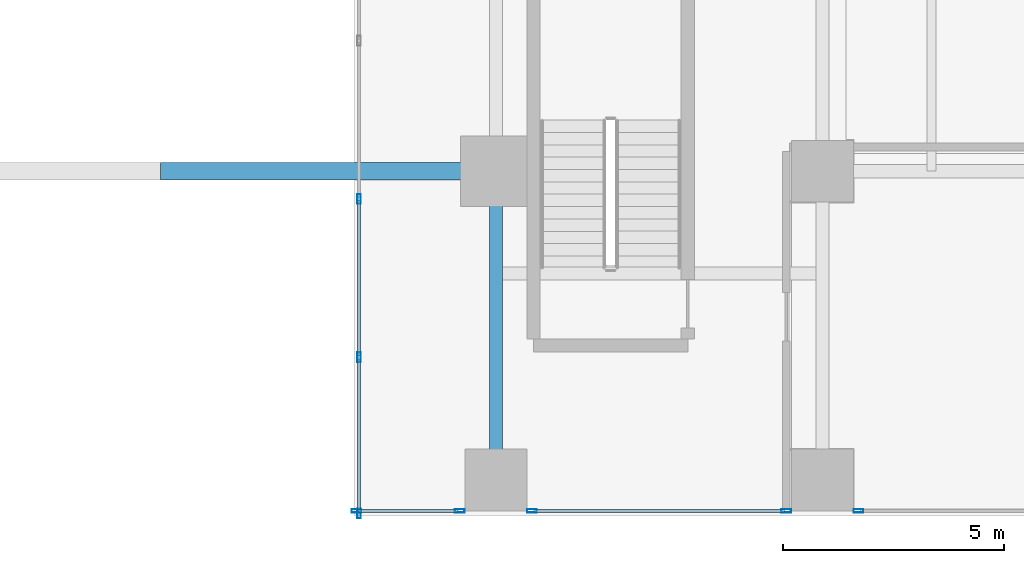
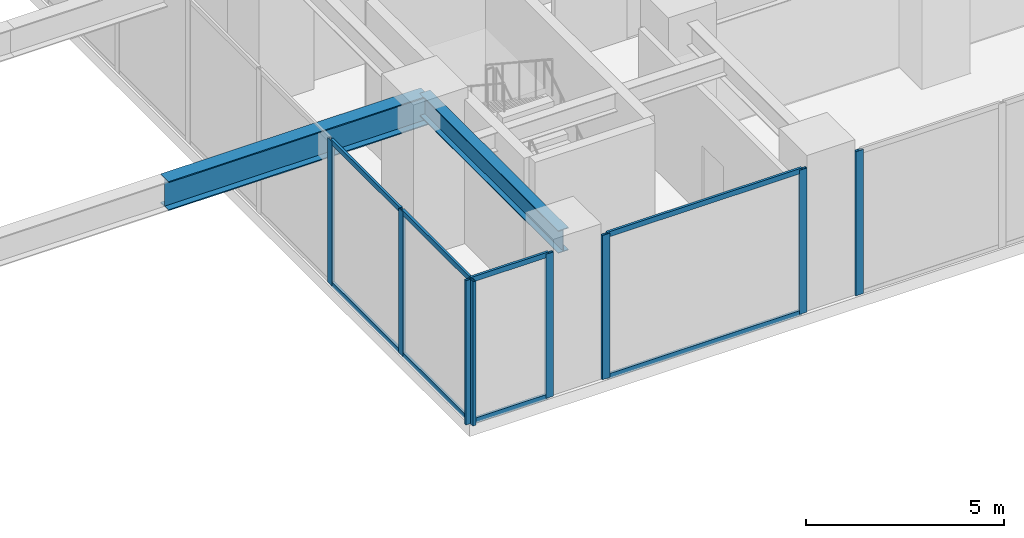
# One storey, part 10 of 39: 16 members, 2 beams, 4 elements without a shape of their own.
"""IFC4 building model written with IfcOpenShell, lengths in metres."""

from ifc_helpers import new_model, si_unit, direction, frame, origin, origin_2d, place, context, subcontext, project, spatial, hollow_rectangle, i_section, extrude, source, transform, mapped, material, layer, layer_set, material_profile, profile_set, type_object, type_shapes, element, aggregate, save


model = new_model("IFC4")

# Units and contexts
model_context = context("Model", 3, precision=1e-05, world=origin(), true_north=direction((0.0, 1.0)))
body_context = subcontext(model_context, "Body", "Model", "MODEL_VIEW")
ifc_project = project(units=[si_unit("LENGTHUNIT", "METRE"), si_unit("AREAUNIT", "SQUARE_METRE"), si_unit("VOLUMEUNIT", "CUBIC_METRE"), si_unit("PLANEANGLEUNIT", "RADIAN"), si_unit("MASSUNIT", "GRAM", prefix="KILO")], contexts=[model_context])

# Site, building, storey
site_placement = place(None, origin())
site = spatial("IfcSite", under=ifc_project, at=site_placement, CompositionType="ELEMENT")
building_placement = place(site_placement, origin())
building = spatial("IfcBuilding", under=site, at=building_placement, Name="Haelvirn Gate Laboratories", CompositionType="ELEMENT")
storey_placement = place(building_placement, frame((0.0, 0.0, 15.0)))
storey = spatial("IfcBuildingStorey", under=building, at=storey_placement, Name="L04", CompositionType="ELEMENT", Elevation=15.0)

# Beams
ifc_material_1 = material(Name="Steel SM355", Category="steel")
ifc_material_profile_1 = material_profile(ifc_material_1, i_section(OverallWidth=0.300048828125, OverallDepth=0.699951171875, WebThickness=0.012939453125, FlangeThickness=0.02392578125, at=origin_2d()), Name="H-700x300x13x24")
ifc_profile_set_1 = profile_set([ifc_material_profile_1], Name="Steel SM355")
beam_type_1 = type_object("IfcBeamType", Name="BM-G-700", PredefinedType="BEAM", material=ifc_profile_set_1)
shared_shape_1 = source(origin(), body_context, "Body", "SweptSolid", [
    extrude(i_section(OverallWidth=0.300048828125, OverallDepth=0.699951171875, WebThickness=0.012939453125, FlangeThickness=0.02392578125, at=origin_2d()), origin(), (0.0, 0.0, 1.0), 7.0),
])
type_shapes(beam_type_1, [shared_shape_1])
beam_1_placement = place(storey_placement, frame((52.60009765625, 0.0, 4.10009765625), z_axis=(0.0, 1.0, 0.0), x_axis=(-1.0, 0.0, 0.0)))
element("IfcBeam", 1, at=beam_1_placement, inside=storey, type_object=beam_type_1, Name="L04 Stair ST4 West Trimmer Girder", PredefinedType="BEAM", context=body_context, shape_type="MappedRepresentation", body=[
    mapped(shared_shape_1, transform((0.0, 0.0, 0.0), scale=1.0)),
])
ifc_material_2 = material(Name="Steel SM420", Category="steel")
ifc_material_profile_2 = material_profile(ifc_material_2, i_section(OverallWidth=0.39990234375, OverallDepth=0.89990234375, WebThickness=0.01904296875, FlangeThickness=0.031982421875, at=origin_2d()), Name="H-900x400x19x32")
ifc_profile_set_2 = profile_set([ifc_material_profile_2], Name="Steel SM420")
beam_type_2 = type_object("IfcBeamType", Name="BM-TG-900", PredefinedType="BEAM", material=ifc_profile_set_2)
shared_shape_2 = source(origin(), body_context, "Body", "SweptSolid", [
    extrude(i_section(OverallWidth=0.39990234375, OverallDepth=0.89990234375, WebThickness=0.01904296875, FlangeThickness=0.031982421875, at=origin_2d()), origin(), (0.0, 0.0, 1.0), 7.60009765625),
])
type_shapes(beam_type_2, [shared_shape_2])
beam_2_placement = place(storey_placement, frame((45.0, 7.0, 4.0), z_axis=(1.0, 0.0, 0.0), x_axis=(0.0, 1.0, 0.0)))
element("IfcBeam", 2, at=beam_2_placement, inside=storey, type_object=beam_type_2, Name="L05 Portal Transfer Truss Bottom Chord Y7.0-4", PredefinedType="BEAM", context=body_context, shape_type="MappedRepresentation", body=[
    mapped(shared_shape_2, transform((0.0, 0.0, 0.0), scale=1.0)),
])

# Curtain wall, members
ifc_material_3 = material(Name="Anodised bronze unitised aluminium & triple low-E glass", Category="aluminium")
ifc_layer = layer(ifc_material_3, 0.18798828125, Name="CW-SYS-1")
ifc_layer_set = layer_set([ifc_layer], Name="Anodised bronze unitised aluminium & triple low-E glass")
curtain_wall_type = type_object("IfcCurtainWallType", Name="CW-SYS-1", PredefinedType="NOTDEFINED", material=ifc_layer_set)
curtain_wall_1_placement = place(storey_placement, origin())
curtain_wall_1 = element("IfcCurtainWall", 3, at=curtain_wall_1_placement, inside=storey, type_object=curtain_wall_type, Name="L04 Unitised Curtain Wall CW-L04-P1-E07", PredefinedType="NOTDEFINED")
ifc_material_4 = material(Name="Extruded aluminium 6063-T6 (anodised bronze)", Category="aluminium")
ifc_material_profile_3 = material_profile(ifc_material_4, hollow_rectangle(XDim=0.070068359375, YDim=0.159912109375, WallThickness=0.0048828125, at=origin_2d()), Name="CWT-160x70x5")
ifc_profile_set_3 = profile_set([ifc_material_profile_3], Name="Extruded aluminium 6063-T6 (anodised bronze)")
member_type_1 = type_object("IfcMemberType", Name="CWT-T160", PredefinedType="USERDEFINED", material=ifc_profile_set_3)
shared_shape_3 = source(origin(), body_context, "Body", "SweptSolid", [
    extrude(hollow_rectangle(XDim=0.070068359375, YDim=0.159912109375, WallThickness=0.0048828125, at=origin_2d()), origin(), (0.0, 0.0, 1.0), 3.465576171875),
])
member_1_placement = place(storey_placement, frame((49.5, 2.74560546875, 0.034912109375), z_axis=(0.0, -1.0, 0.0), x_axis=(1.0, 0.0, 0.0)))
member_1 = element("IfcMember", 4, at=member_1_placement, type_object=member_type_1, Name="CW1 transom 14.1", ObjectType="TRANSOM", PredefinedType="USERDEFINED", context=body_context, shape_type="MappedRepresentation", body=[
    mapped(shared_shape_3, transform((0.0, 0.0, 0.0), scale=1.0)),
])
member_2_placement = place(storey_placement, frame((49.5, 2.74560546875, 4.4150390625), z_axis=(0.0, -1.0, 0.0), x_axis=(1.0, 0.0, 0.0)))
member_2 = element("IfcMember", 5, at=member_2_placement, type_object=member_type_1, Name="CW1 transom 14.2", ObjectType="TRANSOM", PredefinedType="USERDEFINED", context=body_context, shape_type="MappedRepresentation", body=[
    mapped(shared_shape_3, transform((0.0, 0.0, 0.0), scale=1.0)),
])
shared_shape_4 = source(origin(), body_context, "Body", "SweptSolid", [
    extrude(hollow_rectangle(XDim=0.070068359375, YDim=0.159912109375, WallThickness=0.0048828125, at=origin_2d()), origin(), (0.0, 0.0, 1.0), 3.505859375),
])
member_3_placement = place(storey_placement, frame((49.5, 6.33154296875, 0.034912109375), z_axis=(0.0, -1.0, 0.0), x_axis=(1.0, 0.0, 0.0)))
member_3 = element("IfcMember", 6, at=member_3_placement, type_object=member_type_1, Name="CW1 transom 13.1", ObjectType="TRANSOM", PredefinedType="USERDEFINED", context=body_context, shape_type="MappedRepresentation", body=[
    mapped(shared_shape_4, transform((0.0, 0.0, 0.0), scale=1.0)),
])
member_4_placement = place(storey_placement, frame((49.5, 6.33154296875, 4.4150390625), z_axis=(0.0, -1.0, 0.0), x_axis=(1.0, 0.0, 0.0)))
member_4 = element("IfcMember", 7, at=member_4_placement, type_object=member_type_1, Name="CW1 transom 13.2", ObjectType="TRANSOM", PredefinedType="USERDEFINED", context=body_context, shape_type="MappedRepresentation", body=[
    mapped(shared_shape_4, transform((0.0, 0.0, 0.0), scale=1.0)),
])

curtain_wall_2_placement = place(storey_placement, origin())
curtain_wall_2 = element("IfcCurtainWall", 8, at=curtain_wall_2_placement, inside=storey, type_object=curtain_wall_type, Name="L04 Unitised Curtain Wall CW-L04-P1-E00-1-S1", PredefinedType="NOTDEFINED")
shared_shape_5 = source(origin(), body_context, "Body", "SweptSolid", [
    extrude(hollow_rectangle(XDim=0.070068359375, YDim=0.159912109375, WallThickness=0.0048828125, at=origin_2d()), origin(), (0.0, 0.0, 1.0), 2.260009765625),
])
member_5_placement = place(storey_placement, frame((49.47998046875, -0.699951171875, 0.034912109375), z_axis=(1.0, 0.0, 0.0), x_axis=(0.0, 1.0, 0.0)))
member_5 = element("IfcMember", 9, at=member_5_placement, type_object=member_type_1, Name="CW1 transom 1.1", ObjectType="TRANSOM", PredefinedType="USERDEFINED", context=body_context, shape_type="MappedRepresentation", body=[
    mapped(shared_shape_5, transform((0.0, 0.0, 0.0), scale=1.0)),
])
member_6_placement = place(storey_placement, frame((49.47998046875, -0.699951171875, 4.4150390625), z_axis=(1.0, 0.0, 0.0), x_axis=(0.0, 1.0, 0.0)))
member_6 = element("IfcMember", 10, at=member_6_placement, type_object=member_type_1, Name="CW1 transom 1.2", ObjectType="TRANSOM", PredefinedType="USERDEFINED", context=body_context, shape_type="MappedRepresentation", body=[
    mapped(shared_shape_5, transform((0.0, 0.0, 0.0), scale=1.0)),
])

curtain_wall_3_placement = place(storey_placement, origin())
curtain_wall_3 = element("IfcCurtainWall", 11, at=curtain_wall_3_placement, inside=storey, type_object=curtain_wall_type, Name="L04 Unitised Curtain Wall CW-L04-P1-E00-1-S2", PredefinedType="NOTDEFINED")
shared_shape_6 = source(origin(), body_context, "Body", "SweptSolid", [
    extrude(hollow_rectangle(XDim=0.070068359375, YDim=0.159912109375, WallThickness=0.0048828125, at=origin_2d()), origin(), (0.0, 0.0, 1.0), 5.679931640625),
])
type_shapes(member_type_1, [shared_shape_3, shared_shape_4, shared_shape_5, shared_shape_6])
member_7_placement = place(storey_placement, frame((53.4599609375, -0.699951171875, 0.034912109375), z_axis=(1.0, 0.0, 0.0), x_axis=(0.0, 1.0, 0.0)))
member_7 = element("IfcMember", 12, at=member_7_placement, type_object=member_type_1, Name="CW1 transom 1.1", ObjectType="TRANSOM", PredefinedType="USERDEFINED", context=body_context, shape_type="MappedRepresentation", body=[
    mapped(shared_shape_6, transform((0.0, 0.0, 0.0), scale=1.0)),
])
member_8_placement = place(storey_placement, frame((53.4599609375, -0.699951171875, 4.4150390625), z_axis=(1.0, 0.0, 0.0), x_axis=(0.0, 1.0, 0.0)))
member_8 = element("IfcMember", 13, at=member_8_placement, type_object=member_type_1, Name="CW1 transom 1.2", ObjectType="TRANSOM", PredefinedType="USERDEFINED", context=body_context, shape_type="MappedRepresentation", body=[
    mapped(shared_shape_6, transform((0.0, 0.0, 0.0), scale=1.0)),
])

# Member
ifc_material_profile_4 = material_profile(ifc_material_4, hollow_rectangle(XDim=0.080078125, YDim=0.219970703125, WallThickness=0.006103515625, at=origin_2d()), Name="CWM-220x80x6")
ifc_profile_set_4 = profile_set([ifc_material_profile_4], Name="Extruded aluminium 6063-T6 (anodised bronze)")
member_type_2 = type_object("IfcMemberType", Name="CWM-T220", PredefinedType="MULLION", material=ifc_profile_set_4)
shared_shape_7 = source(origin(), body_context, "Body", "SweptSolid", [
    extrude(hollow_rectangle(XDim=0.080078125, YDim=0.219970703125, WallThickness=0.006103515625, at=origin_2d()), origin(), (0.0, 0.0, 1.0), 4.449951171875),
])
type_shapes(member_type_2, [shared_shape_7])
member_9_placement = place(storey_placement, frame((49.43994140625, -0.699951171875, 0.0), z_axis=(0.0, 0.0, 1.0), x_axis=(0.0, 1.0, 0.0)))
member_9 = element("IfcMember", 14, at=member_9_placement, type_object=member_type_2, Name="CW1 mullion 1", PredefinedType="MULLION", context=body_context, shape_type="MappedRepresentation", body=[
    mapped(shared_shape_7, transform((0.0, 0.0, 0.0), scale=1.0)),
])

member_10_placement = place(storey_placement, frame((51.780029296875, -0.699951171875, 0.0), z_axis=(0.0, 0.0, 1.0), x_axis=(0.0, 1.0, 0.0)))
member_10 = element("IfcMember", 15, at=member_10_placement, type_object=member_type_2, Name="CW1 mullion 2", PredefinedType="MULLION", context=body_context, shape_type="MappedRepresentation", body=[
    mapped(shared_shape_7, transform((0.0, 0.0, 0.0), scale=1.0)),
])

aggregate(curtain_wall_2, [member_9, member_10, member_5, member_6])

member_11_placement = place(storey_placement, frame((53.419921875, -0.699951171875, 0.0), z_axis=(0.0, 0.0, 1.0), x_axis=(0.0, 1.0, 0.0)))
member_11 = element("IfcMember", 16, at=member_11_placement, type_object=member_type_2, Name="CW1 mullion 1", PredefinedType="MULLION", context=body_context, shape_type="MappedRepresentation", body=[
    mapped(shared_shape_7, transform((0.0, 0.0, 0.0), scale=1.0)),
])

member_12_placement = place(storey_placement, frame((59.179931640625, -0.699951171875, 0.0), z_axis=(0.0, 0.0, 1.0), x_axis=(0.0, 1.0, 0.0)))
member_12 = element("IfcMember", 17, at=member_12_placement, type_object=member_type_2, Name="CW1 mullion 2", PredefinedType="MULLION", context=body_context, shape_type="MappedRepresentation", body=[
    mapped(shared_shape_7, transform((0.0, 0.0, 0.0), scale=1.0)),
])

aggregate(curtain_wall_3, [member_11, member_12, member_7, member_8])

# Curtain wall, member
curtain_wall_4_placement = place(storey_placement, origin())
curtain_wall_4 = element("IfcCurtainWall", 18, at=curtain_wall_4_placement, inside=storey, type_object=curtain_wall_type, Name="L04 Unitised Curtain Wall CW-L04-P1-E00-1-S3", PredefinedType="NOTDEFINED")
member_13_placement = place(storey_placement, frame((60.820068359375, -0.699951171875, 0.0), z_axis=(0.0, 0.0, 1.0), x_axis=(0.0, 1.0, 0.0)))
member_13 = element("IfcMember", 19, at=member_13_placement, type_object=member_type_2, Name="CW1 mullion 1", PredefinedType="MULLION", context=body_context, shape_type="MappedRepresentation", body=[
    mapped(shared_shape_7, transform((0.0, 0.0, 0.0), scale=1.0)),
])
aggregate(curtain_wall_4, [member_13])

# Member
member_14_placement = place(storey_placement, frame((49.5, 6.371337890625, 0.0), z_axis=(0.0, 0.0, 1.0), x_axis=(1.0, 0.0, 0.0)))
member_14 = element("IfcMember", 20, at=member_14_placement, type_object=member_type_2, Name="CW1 mullion 13", PredefinedType="MULLION", context=body_context, shape_type="MappedRepresentation", body=[
    mapped(shared_shape_7, transform((0.0, 0.0, 0.0), scale=1.0)),
])

member_15_placement = place(storey_placement, frame((49.5, 2.78564453125, 0.0), z_axis=(0.0, 0.0, 1.0), x_axis=(1.0, 0.0, 0.0)))
member_15 = element("IfcMember", 21, at=member_15_placement, type_object=member_type_2, Name="CW1 mullion 14", PredefinedType="MULLION", context=body_context, shape_type="MappedRepresentation", body=[
    mapped(shared_shape_7, transform((0.0, 0.0, 0.0), scale=1.0)),
])

member_16_placement = place(storey_placement, frame((49.5, -0.760009765625, 0.0), z_axis=(0.0, 0.0, 1.0), x_axis=(1.0, 0.0, 0.0)))
member_16 = element("IfcMember", 22, at=member_16_placement, type_object=member_type_2, Name="CW1 mullion 15", PredefinedType="MULLION", context=body_context, shape_type="MappedRepresentation", body=[
    mapped(shared_shape_7, transform((0.0, 0.0, 0.0), scale=1.0)),
])

aggregate(curtain_wall_1, [member_14, member_15, member_16, member_3, member_4, member_1, member_2])

save(model, "model.ifc")
